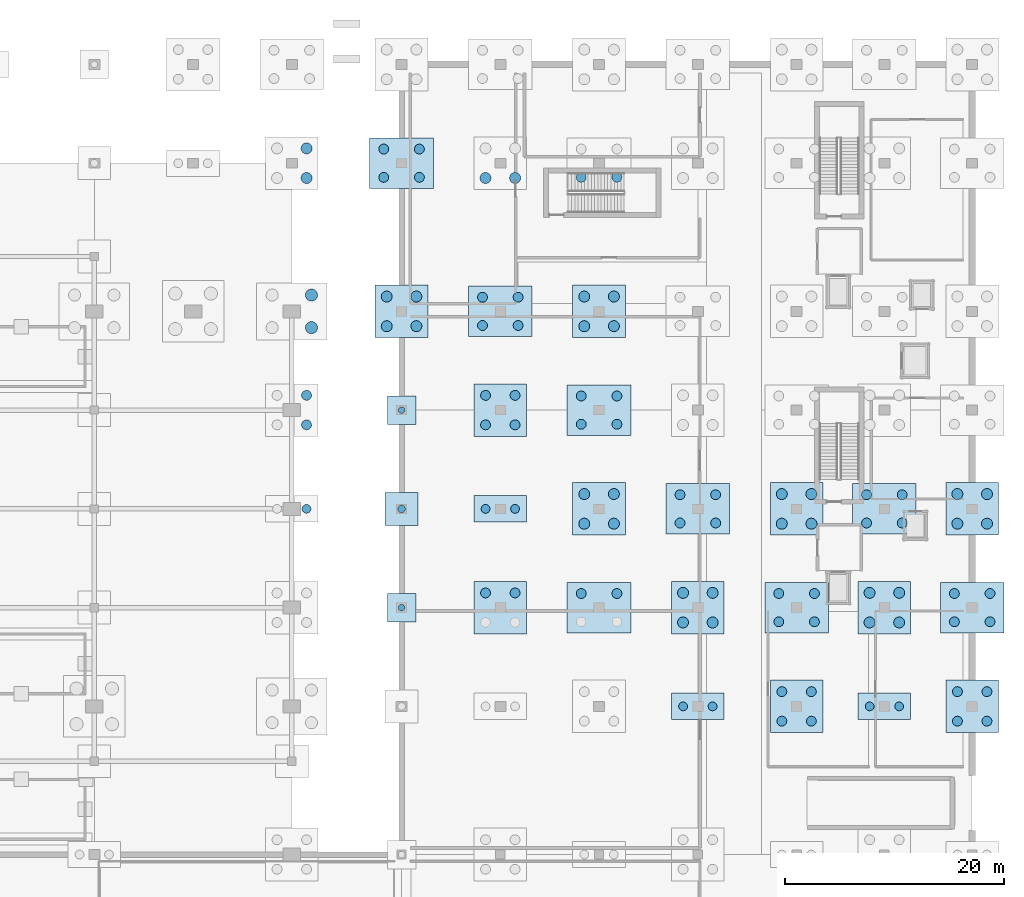
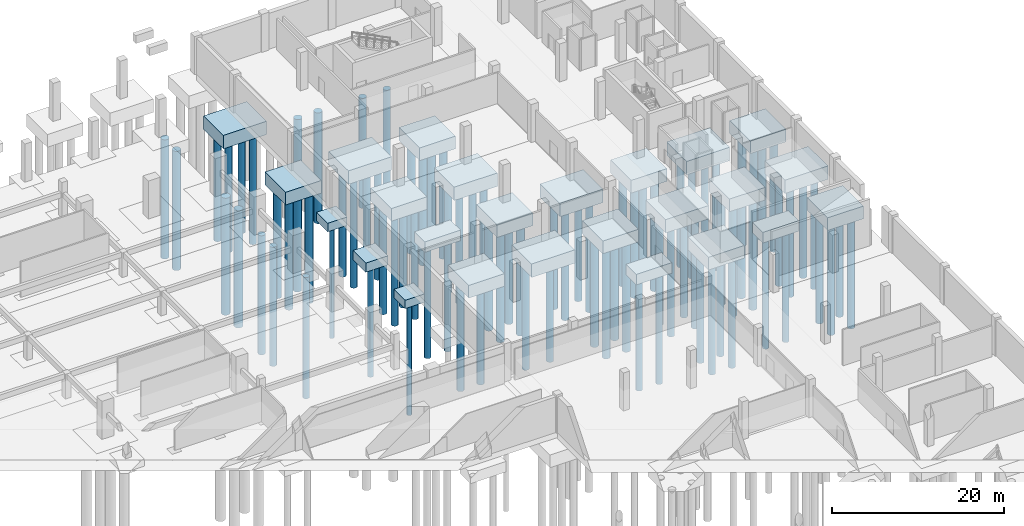
# One storey, part 7 of 26: 92 piles, 25 footings.
"""IFC4 building model written with IfcOpenShell, lengths in metres."""

from ifc_helpers import new_model, si_unit, direction, frame, origin, origin_2d, place, context, subcontext, project, spatial, polyline, circle, outline, extrude, material, material_profile, profile_set, type_object, element, save


model = new_model("IFC4")

# Units and contexts
model_context = context("Model", 3, precision=1e-05, world=origin(), true_north=direction((0.0, 1.0)))
body_context = subcontext(model_context, "Body", "Model", "MODEL_VIEW")
ifc_project = project(units=[si_unit("LENGTHUNIT", "METRE"), si_unit("AREAUNIT", "SQUARE_METRE"), si_unit("VOLUMEUNIT", "CUBIC_METRE"), si_unit("PLANEANGLEUNIT", "RADIAN"), si_unit("MASSUNIT", "GRAM", prefix="KILO")], contexts=[model_context])

# Site, building, storey
site_placement = place(None, origin())
site = spatial("IfcSite", under=ifc_project, at=site_placement, CompositionType="ELEMENT")
building_placement = place(site_placement, origin())
building = spatial("IfcBuilding", under=site, at=building_placement, Name="Chuanluo Vaults Station", CompositionType="ELEMENT")
storey_placement = place(building_placement, frame((0.0, 0.0, -5.39990234375)))
storey = spatial("IfcBuildingStorey", under=building, at=storey_placement, Name="B1", CompositionType="ELEMENT", Elevation=-5.39990234375)

# Footings
ifc_material_1 = material(Name="Concrete C40", Category="concrete")
footing_type_1 = type_object("IfcFootingType", Name="FTG-PC-2", PredefinedType="PILE_CAP", material=ifc_material_1)
footing_1_placement = place(storey_placement, frame((0.0, 0.0, -3.0)))
element("IfcFooting", 1, at=footing_1_placement, inside=storey, type_object=footing_type_1, Name="Pile cap PC-094", PredefinedType="PILE_CAP", context=body_context, shape_type="SweptSolid", body=[
    extrude(outline(polyline([(133.60009765625, 101.10009765625), (138.39990234375, 101.10009765625), (138.39990234375, 105.89990234375), (133.60009765625, 105.89990234375), (133.60009765625, 101.10009765625)])), origin(), (0.0, 0.0, 1.0), 1.7998046875),
])
footing_2_placement = place(storey_placement, frame((0.0, 0.0, -3.0)))
element("IfcFooting", 2, at=footing_2_placement, inside=storey, type_object=footing_type_1, Name="Pile cap PC-104", PredefinedType="PILE_CAP", context=body_context, shape_type="SweptSolid", body=[
    extrude(outline(polyline([(142.60009765625, 74.10009765625), (147.39990234375, 74.10009765625), (147.39990234375, 78.89990234375), (142.60009765625, 78.89990234375), (142.60009765625, 74.10009765625)])), origin(), (0.0, 0.0, 1.0), 1.7998046875),
])
footing_3_placement = place(storey_placement, frame((0.0, 0.0, -3.0)))
element("IfcFooting", 3, at=footing_3_placement, inside=storey, type_object=footing_type_1, Name="Pile cap PC-106", PredefinedType="PILE_CAP", context=body_context, shape_type="SweptSolid", body=[
    extrude(outline(polyline([(142.60009765625, 92.10009765625), (147.39990234375, 92.10009765625), (147.39990234375, 96.89990234375), (142.60009765625, 96.89990234375), (142.60009765625, 92.10009765625)])), origin(), (0.0, 0.0, 1.0), 1.7998046875),
])
footing_4_placement = place(storey_placement, frame((0.0, 0.0, -3.0)))
element("IfcFooting", 4, at=footing_4_placement, inside=storey, type_object=footing_type_1, Name="Pile cap PC-118", PredefinedType="PILE_CAP", context=body_context, shape_type="SweptSolid", body=[
    extrude(outline(polyline([(151.60009765625, 83.10009765625), (156.39990234375, 83.10009765625), (156.39990234375, 87.89990234375), (151.60009765625, 87.89990234375), (151.60009765625, 83.10009765625)])), origin(), (0.0, 0.0, 1.0), 1.7998046875),
])
footing_5_placement = place(storey_placement, frame((0.0, 0.0, -3.0)))
element("IfcFooting", 5, at=footing_5_placement, inside=storey, type_object=footing_type_1, Name="Pile cap PC-120", PredefinedType="PILE_CAP", context=body_context, shape_type="SweptSolid", body=[
    extrude(outline(polyline([(151.60009765625, 101.10009765625), (156.39990234375, 101.10009765625), (156.39990234375, 105.89990234375), (151.60009765625, 105.89990234375), (151.60009765625, 101.10009765625)])), origin(), (0.0, 0.0, 1.0), 1.7998046875),
])
footing_6_placement = place(storey_placement, frame((0.0, 0.0, -3.0)))
element("IfcFooting", 6, at=footing_6_placement, inside=storey, type_object=footing_type_1, Name="Pile cap PC-130", PredefinedType="PILE_CAP", context=body_context, shape_type="SweptSolid", body=[
    extrude(outline(polyline([(160.60009765625, 74.10009765625), (165.39990234375, 74.10009765625), (165.39990234375, 78.89990234375), (160.60009765625, 78.89990234375), (160.60009765625, 74.10009765625)])), origin(), (0.0, 0.0, 1.0), 1.7998046875),
])
footing_7_placement = place(storey_placement, frame((0.0, 0.0, -3.0)))
element("IfcFooting", 7, at=footing_7_placement, inside=storey, type_object=footing_type_1, Name="Pile cap PC-142", PredefinedType="PILE_CAP", context=body_context, shape_type="SweptSolid", body=[
    extrude(outline(polyline([(169.60009765625, 65.10009765625), (174.39990234375, 65.10009765625), (174.39990234375, 69.89990234375), (169.60009765625, 69.89990234375), (169.60009765625, 65.10009765625)])), origin(), (0.0, 0.0, 1.0), 1.7998046875),
])
footing_8_placement = place(storey_placement, frame((0.0, 0.0, -3.0)))
element("IfcFooting", 8, at=footing_8_placement, inside=storey, type_object=footing_type_1, Name="Pile cap PC-144", PredefinedType="PILE_CAP", context=body_context, shape_type="SweptSolid", body=[
    extrude(outline(polyline([(169.60009765625, 83.10009765625), (174.39990234375, 83.10009765625), (174.39990234375, 87.89990234375), (169.60009765625, 87.89990234375), (169.60009765625, 83.10009765625)])), origin(), (0.0, 0.0, 1.0), 1.7998046875),
])
footing_9_placement = place(storey_placement, frame((0.0, 0.0, -3.0)))
element("IfcFooting", 9, at=footing_9_placement, inside=storey, type_object=footing_type_1, Name="Pile cap PC-156", PredefinedType="PILE_CAP", context=body_context, shape_type="SweptSolid", body=[
    extrude(outline(polyline([(177.60009765625, 74.10009765625), (182.39990234375, 74.10009765625), (182.39990234375, 78.89990234375), (177.60009765625, 78.89990234375), (177.60009765625, 74.10009765625)])), origin(), (0.0, 0.0, 1.0), 1.7998046875),
])
footing_10_placement = place(storey_placement, frame((0.0, 0.0, -3.0)))
element("IfcFooting", 10, at=footing_10_placement, inside=storey, type_object=footing_type_1, Name="Pile cap PC-168", PredefinedType="PILE_CAP", context=body_context, shape_type="SweptSolid", body=[
    extrude(outline(polyline([(185.60009765625, 65.10009765625), (190.39990234375, 65.10009765625), (190.39990234375, 69.89990234375), (185.60009765625, 69.89990234375), (185.60009765625, 65.10009765625)])), origin(), (0.0, 0.0, 1.0), 1.7998046875),
])
footing_11_placement = place(storey_placement, frame((0.0, 0.0, -3.0)))
element("IfcFooting", 11, at=footing_11_placement, inside=storey, type_object=footing_type_1, Name="Pile cap PC-170", PredefinedType="PILE_CAP", context=body_context, shape_type="SweptSolid", body=[
    extrude(outline(polyline([(185.60009765625, 83.10009765625), (190.39990234375, 83.10009765625), (190.39990234375, 87.89990234375), (185.60009765625, 87.89990234375), (185.60009765625, 83.10009765625)])), origin(), (0.0, 0.0, 1.0), 1.7998046875),
])
ifc_material_2 = material(Name="Concrete C40", Category="concrete")
footing_type_2 = type_object("IfcFootingType", Name="FTG-PC-5", PredefinedType="PILE_CAP", material=ifc_material_2)
footing_12_placement = place(storey_placement, frame((0.0, 0.0, -2.5)))
element("IfcFooting", 12, at=footing_12_placement, inside=storey, type_object=footing_type_2, Name="Pile cap PC-092", PredefinedType="PILE_CAP", context=body_context, shape_type="SweptSolid", body=[
    extrude(outline(polyline([(134.5, 84.0), (137.5, 84.0), (137.5, 87.0), (134.5, 87.0), (134.5, 84.0)])), origin(), (0.0, 0.0, 1.0), 1.2998046875),
])
ifc_material_3 = material(Name="Concrete C40", Category="concrete")
footing_type_3 = type_object("IfcFootingType", Name="FTG-PC-6", PredefinedType="PILE_CAP", material=ifc_material_3)
footing_13_placement = place(storey_placement, frame((0.0, 0.0, -2.400146484375)))
element("IfcFooting", 13, at=footing_13_placement, inside=storey, type_object=footing_type_3, Name="Pile cap PC-091", PredefinedType="PILE_CAP", context=body_context, shape_type="SweptSolid", body=[
    extrude(outline(polyline([(134.699951171875, 75.199951171875), (137.300048828125, 75.199951171875), (137.300048828125, 77.800048828125), (134.699951171875, 77.800048828125), (134.699951171875, 75.199951171875)])), origin(), (0.0, 0.0, 1.0), 1.199951171875),
])
footing_14_placement = place(storey_placement, frame((0.0, 0.0, -2.400146484375)))
element("IfcFooting", 14, at=footing_14_placement, inside=storey, type_object=footing_type_3, Name="Pile cap PC-093", PredefinedType="PILE_CAP", context=body_context, shape_type="SweptSolid", body=[
    extrude(outline(polyline([(134.699951171875, 93.199951171875), (137.300048828125, 93.199951171875), (137.300048828125, 95.800048828125), (134.699951171875, 95.800048828125), (134.699951171875, 93.199951171875)])), origin(), (0.0, 0.0, 1.0), 1.199951171875),
])
ifc_material_4 = material(Name="Concrete C40", Category="concrete")
footing_type_4 = type_object("IfcFootingType", Name="FTG-PC-7", PredefinedType="PILE_CAP", material=ifc_material_4)
footing_15_placement = place(storey_placement, frame((0.0, 0.0, -2.7001953125)))
element("IfcFooting", 15, at=footing_15_placement, inside=storey, type_object=footing_type_4, Name="Pile cap PC-105", PredefinedType="PILE_CAP", context=body_context, shape_type="SweptSolid", body=[
    extrude(outline(polyline([(142.60009765625, 84.300048828125), (147.39990234375, 84.300048828125), (147.39990234375, 86.699951171875), (142.60009765625, 86.699951171875), (142.60009765625, 84.300048828125)])), origin(), (0.0, 0.0, 1.0), 1.5),
])
footing_16_placement = place(storey_placement, frame((0.0, 0.0, -2.7001953125)))
element("IfcFooting", 16, at=footing_16_placement, inside=storey, type_object=footing_type_4, Name="Pile cap PC-129", PredefinedType="PILE_CAP", context=body_context, shape_type="SweptSolid", body=[
    extrude(outline(polyline([(160.60009765625, 66.300048828125), (165.39990234375, 66.300048828125), (165.39990234375, 68.699951171875), (160.60009765625, 68.699951171875), (160.60009765625, 66.300048828125)])), origin(), (0.0, 0.0, 1.0), 1.5),
])
footing_17_placement = place(storey_placement, frame((0.0, 0.0, -2.7001953125)))
element("IfcFooting", 17, at=footing_17_placement, inside=storey, type_object=footing_type_4, Name="Pile cap PC-155", PredefinedType="PILE_CAP", context=body_context, shape_type="SweptSolid", body=[
    extrude(outline(polyline([(177.60009765625, 66.300048828125), (182.39990234375, 66.300048828125), (182.39990234375, 68.699951171875), (177.60009765625, 68.699951171875), (177.60009765625, 66.300048828125)])), origin(), (0.0, 0.0, 1.0), 1.5),
])
ifc_material_5 = material(Name="Concrete C40", Category="concrete")
footing_type_5 = type_object("IfcFootingType", Name="FTG-PC-8", PredefinedType="PILE_CAP", material=ifc_material_5)
footing_18_placement = place(storey_placement, frame((0.0, 0.0, -3.10009765625)))
element("IfcFooting", 18, at=footing_18_placement, inside=storey, type_object=footing_type_5, Name="Pile cap PC-095", PredefinedType="PILE_CAP", context=body_context, shape_type="SweptSolid", body=[
    extrude(outline(polyline([(133.10009765625, 114.699951171875), (138.89990234375, 114.699951171875), (138.89990234375, 119.300048828125), (133.10009765625, 119.300048828125), (133.10009765625, 114.699951171875)])), origin(), (0.0, 0.0, 1.0), 1.89990234375),
])
footing_19_placement = place(storey_placement, frame((0.0, 0.0, -3.10009765625)))
element("IfcFooting", 19, at=footing_19_placement, inside=storey, type_object=footing_type_5, Name="Pile cap PC-107", PredefinedType="PILE_CAP", context=body_context, shape_type="SweptSolid", body=[
    extrude(outline(polyline([(142.10009765625, 101.199951171875), (147.89990234375, 101.199951171875), (147.89990234375, 105.800048828125), (142.10009765625, 105.800048828125), (142.10009765625, 101.199951171875)])), origin(), (0.0, 0.0, 1.0), 1.89990234375),
])
footing_20_placement = place(storey_placement, frame((0.0, 0.0, -3.10009765625)))
element("IfcFooting", 20, at=footing_20_placement, inside=storey, type_object=footing_type_5, Name="Pile cap PC-117", PredefinedType="PILE_CAP", context=body_context, shape_type="SweptSolid", body=[
    extrude(outline(polyline([(151.10009765625, 74.199951171875), (156.89990234375, 74.199951171875), (156.89990234375, 78.800048828125), (151.10009765625, 78.800048828125), (151.10009765625, 74.199951171875)])), origin(), (0.0, 0.0, 1.0), 1.89990234375),
])
footing_21_placement = place(storey_placement, frame((0.0, 0.0, -3.10009765625)))
element("IfcFooting", 21, at=footing_21_placement, inside=storey, type_object=footing_type_5, Name="Pile cap PC-119", PredefinedType="PILE_CAP", context=body_context, shape_type="SweptSolid", body=[
    extrude(outline(polyline([(151.10009765625, 92.199951171875), (156.89990234375, 92.199951171875), (156.89990234375, 96.800048828125), (151.10009765625, 96.800048828125), (151.10009765625, 92.199951171875)])), origin(), (0.0, 0.0, 1.0), 1.89990234375),
])
footing_22_placement = place(storey_placement, frame((0.0, 0.0, -3.10009765625)))
element("IfcFooting", 22, at=footing_22_placement, inside=storey, type_object=footing_type_5, Name="Pile cap PC-131", PredefinedType="PILE_CAP", context=body_context, shape_type="SweptSolid", body=[
    extrude(outline(polyline([(160.10009765625, 83.199951171875), (165.89990234375, 83.199951171875), (165.89990234375, 87.800048828125), (160.10009765625, 87.800048828125), (160.10009765625, 83.199951171875)])), origin(), (0.0, 0.0, 1.0), 1.89990234375),
])
footing_23_placement = place(storey_placement, frame((0.0, 0.0, -3.10009765625)))
element("IfcFooting", 23, at=footing_23_placement, inside=storey, type_object=footing_type_5, Name="Pile cap PC-143", PredefinedType="PILE_CAP", context=body_context, shape_type="SweptSolid", body=[
    extrude(outline(polyline([(169.10009765625, 74.199951171875), (174.89990234375, 74.199951171875), (174.89990234375, 78.800048828125), (169.10009765625, 78.800048828125), (169.10009765625, 74.199951171875)])), origin(), (0.0, 0.0, 1.0), 1.89990234375),
])
footing_24_placement = place(storey_placement, frame((0.0, 0.0, -3.10009765625)))
element("IfcFooting", 24, at=footing_24_placement, inside=storey, type_object=footing_type_5, Name="Pile cap PC-157", PredefinedType="PILE_CAP", context=body_context, shape_type="SweptSolid", body=[
    extrude(outline(polyline([(177.10009765625, 83.199951171875), (182.89990234375, 83.199951171875), (182.89990234375, 87.800048828125), (177.10009765625, 87.800048828125), (177.10009765625, 83.199951171875)])), origin(), (0.0, 0.0, 1.0), 1.89990234375),
])
footing_25_placement = place(storey_placement, frame((0.0, 0.0, -3.10009765625)))
element("IfcFooting", 25, at=footing_25_placement, inside=storey, type_object=footing_type_5, Name="Pile cap PC-169", PredefinedType="PILE_CAP", context=body_context, shape_type="SweptSolid", body=[
    extrude(outline(polyline([(185.10009765625, 74.199951171875), (190.89990234375, 74.199951171875), (190.89990234375, 78.800048828125), (185.10009765625, 78.800048828125), (185.10009765625, 74.199951171875)])), origin(), (0.0, 0.0, 1.0), 1.89990234375),
])

# Piles
ifc_material_6 = material(Name="Concrete C40", Category="concrete")
ifc_material_profile_1 = material_profile(ifc_material_6, circle(Radius=0.5, at=origin_2d()))
ifc_profile_set_1 = profile_set([ifc_material_profile_1], Name="Concrete C40")
pile_type_1 = type_object("IfcPileType", Name="PIL-1000", PredefinedType="BORED", material=ifc_profile_set_1)
for number, where, z_axis, x_axis, name in (
    (26, (127.35009765625, 115.64990234375, -1.68017578125), (0.0, 0.0, -1.0), (1.0, 0.0, 0.0), "Rock-socketed bored pile 224"),
    (27, (127.35009765625, 118.35009765625, -1.68017578125), (0.0, 0.0, -1.0), (1.0, 0.0, 0.0), "Rock-socketed bored pile 226"),
):
    element("IfcPile", number, at=place(storey_placement, frame(where, z_axis=z_axis, x_axis=x_axis)), inside=storey, type_object=pile_type_1, Name=name, PredefinedType="BORED", context=body_context, shape_type="SweptSolid", body=[
        extrude(circle(Radius=0.5, at=origin_2d()), origin(), (0.0, 0.0, 1.0), 16.919921875),
    ])
for number, where, z_axis, x_axis, name in (
    (28, (134.64990234375, 102.14990234375, -2.880126953125), (0.0, 0.0, -1.0), (1.0, 0.0, 0.0), "Rock-socketed bored pile 252"),
    (29, (137.35009765625, 102.14990234375, -2.880126953125), (0.0, 0.0, -1.0), (1.0, 0.0, 0.0), "Rock-socketed bored pile 253"),
    (30, (134.64990234375, 104.85009765625, -2.880126953125), (0.0, 0.0, -1.0), (1.0, 0.0, 0.0), "Rock-socketed bored pile 254"),
    (31, (137.35009765625, 104.85009765625, -2.880126953125), (0.0, 0.0, -1.0), (1.0, 0.0, 0.0), "Rock-socketed bored pile 255"),
    (32, (143.64990234375, 115.64990234375, -2.880126953125), (0.0, 0.0, -1.0), (1.0, 0.0, 0.0), "Rock-socketed bored pile 298"),
    (33, (146.35009765625, 115.64990234375, -2.880126953125), (0.0, 0.0, -1.0), (1.0, 0.0, 0.0), "Rock-socketed bored pile 299"),
    (34, (152.64990234375, 84.14990234375, -2.880126953125), (0.0, 0.0, -1.0), (1.0, 0.0, 0.0), "Rock-socketed bored pile 332"),
    (35, (155.35009765625, 84.14990234375, -2.880126953125), (0.0, 0.0, -1.0), (1.0, 0.0, 0.0), "Rock-socketed bored pile 333"),
    (36, (152.64990234375, 86.85009765625, -2.880126953125), (0.0, 0.0, -1.0), (1.0, 0.0, 0.0), "Rock-socketed bored pile 334"),
    (37, (155.35009765625, 86.85009765625, -2.880126953125), (0.0, 0.0, -1.0), (1.0, 0.0, 0.0), "Rock-socketed bored pile 335"),
    (38, (152.64990234375, 102.14990234375, -2.880126953125), (0.0, 0.0, -1.0), (1.0, 0.0, 0.0), "Rock-socketed bored pile 340"),
    (39, (155.35009765625, 102.14990234375, -2.880126953125), (0.0, 0.0, -1.0), (1.0, 0.0, 0.0), "Rock-socketed bored pile 341"),
    (40, (152.64990234375, 104.85009765625, -2.880126953125), (0.0, 0.0, -1.0), (1.0, 0.0, 0.0), "Rock-socketed bored pile 342"),
    (41, (155.35009765625, 104.85009765625, -2.880126953125), (0.0, 0.0, -1.0), (1.0, 0.0, 0.0), "Rock-socketed bored pile 343"),
    (42, (161.64990234375, 75.14990234375, -2.880126953125), (0.0, 0.0, -1.0), (1.0, 0.0, 0.0), "Rock-socketed bored pile 372"),
    (43, (164.35009765625, 75.14990234375, -2.880126953125), (0.0, 0.0, -1.0), (1.0, 0.0, 0.0), "Rock-socketed bored pile 373"),
    (44, (161.64990234375, 77.85009765625, -2.880126953125), (0.0, 0.0, -1.0), (1.0, 0.0, 0.0), "Rock-socketed bored pile 374"),
    (45, (164.35009765625, 77.85009765625, -2.880126953125), (0.0, 0.0, -1.0), (1.0, 0.0, 0.0), "Rock-socketed bored pile 375"),
    (46, (170.64990234375, 84.14990234375, -2.880126953125), (0.0, 0.0, -1.0), (1.0, 0.0, 0.0), "Rock-socketed bored pile 422"),
    (47, (173.35009765625, 84.14990234375, -2.880126953125), (0.0, 0.0, -1.0), (1.0, 0.0, 0.0), "Rock-socketed bored pile 423"),
    (48, (170.64990234375, 86.85009765625, -2.880126953125), (0.0, 0.0, -1.0), (1.0, 0.0, 0.0), "Rock-socketed bored pile 424"),
    (49, (173.35009765625, 86.85009765625, -2.880126953125), (0.0, 0.0, -1.0), (1.0, 0.0, 0.0), "Rock-socketed bored pile 425"),
    (50, (178.64990234375, 75.14990234375, -2.880126953125), (0.0, 0.0, -1.0), (1.0, 0.0, 0.0), "Rock-socketed bored pile 462"),
    (51, (181.35009765625, 75.14990234375, -2.880126953125), (0.0, 0.0, -1.0), (1.0, 0.0, 0.0), "Rock-socketed bored pile 463"),
    (52, (178.64990234375, 77.85009765625, -2.880126953125), (0.0, 0.0, -1.0), (1.0, 0.0, 0.0), "Rock-socketed bored pile 464"),
    (53, (181.35009765625, 77.85009765625, -2.880126953125), (0.0, 0.0, -1.0), (1.0, 0.0, 0.0), "Rock-socketed bored pile 465"),
    (54, (186.64990234375, 84.14990234375, -2.880126953125), (0.0, 0.0, -1.0), (1.0, 0.0, 0.0), "Rock-socketed bored pile 501"),
    (55, (189.35009765625, 84.14990234375, -2.880126953125), (0.0, 0.0, -1.0), (1.0, 0.0, 0.0), "Rock-socketed bored pile 502"),
    (56, (186.64990234375, 86.85009765625, -2.880126953125), (0.0, 0.0, -1.0), (1.0, 0.0, 0.0), "Rock-socketed bored pile 503"),
    (57, (189.35009765625, 86.85009765625, -2.880126953125), (0.0, 0.0, -1.0), (1.0, 0.0, 0.0), "Rock-socketed bored pile 504"),
):
    element("IfcPile", number, at=place(storey_placement, frame(where, z_axis=z_axis, x_axis=x_axis)), inside=storey, type_object=pile_type_1, Name=name, PredefinedType="BORED", context=body_context, shape_type="SweptSolid", body=[
        extrude(circle(Radius=0.5, at=origin_2d()), origin(), (0.0, 0.0, 1.0), 15.719970703125),
    ])
ifc_material_7 = material(Name="Concrete C40", Category="concrete")
ifc_material_profile_2 = material_profile(ifc_material_7, circle(Radius=0.550048828125, at=origin_2d()))
ifc_profile_set_2 = profile_set([ifc_material_profile_2], Name="Concrete C40")
pile_type_2 = type_object("IfcPileType", Name="PIL-1100", PredefinedType="BORED", material=ifc_profile_set_2)
for number, where, z_axis, x_axis, name in (
    (58, (127.7919921875, 102.014892578125, -1.97998046875), (0.0, 0.0, -1.0), (1.0, 0.0, 0.0), "Rock-socketed bored pile 220"),
    (59, (127.7919921875, 104.985107421875, -1.97998046875), (0.0, 0.0, -1.0), (1.0, 0.0, 0.0), "Rock-socketed bored pile 222"),
):
    element("IfcPile", number, at=place(storey_placement, frame(where, z_axis=z_axis, x_axis=x_axis)), inside=storey, type_object=pile_type_2, Name=name, PredefinedType="BORED", context=body_context, shape_type="SweptSolid", body=[
        extrude(circle(Radius=0.550048828125, at=origin_2d()), origin(), (0.0, 0.0, 1.0), 16.6201171875),
    ])
ifc_material_8 = material(Name="Concrete C40", Category="concrete")
ifc_material_profile_3 = material_profile(ifc_material_8, circle(Radius=0.300048828125, at=origin_2d()))
ifc_profile_set_3 = profile_set([ifc_material_profile_3], Name="Concrete C40")
pile_type_3 = type_object("IfcPileType", Name="PIL-600", PredefinedType="BORED", material=ifc_profile_set_3)
for number, where, z_axis, x_axis, name in (
    (60, (136.0, 76.5, -2.280029296875), (0.0, 0.0, -1.0), (1.0, 0.0, 0.0), "Rock-socketed bored pile 249"),
    (61, (136.0, 94.5, -2.280029296875), (0.0, 0.0, -1.0), (1.0, 0.0, 0.0), "Rock-socketed bored pile 251"),
):
    element("IfcPile", number, at=place(storey_placement, frame(where, z_axis=z_axis, x_axis=x_axis)), inside=storey, type_object=pile_type_3, Name=name, PredefinedType="BORED", context=body_context, shape_type="SweptSolid", body=[
        extrude(circle(Radius=0.300048828125, at=origin_2d()), origin(), (0.0, 0.0, 1.0), 16.320068359375),
    ])
ifc_material_9 = material(Name="Concrete C40", Category="concrete")
ifc_material_profile_4 = material_profile(ifc_material_9, circle(Radius=0.35009765625, at=origin_2d()))
ifc_profile_set_4 = profile_set([ifc_material_profile_4], Name="Concrete C40")
pile_type_4 = type_object("IfcPileType", Name="PIL-700", PredefinedType="BORED", material=ifc_profile_set_4)
pile_1_placement = place(storey_placement, frame((136.0, 85.5, -2.380126953125), z_axis=(0.0, 0.0, -1.0), x_axis=(1.0, 0.0, 0.0)))
element("IfcPile", 62, at=pile_1_placement, inside=storey, type_object=pile_type_4, Name="Rock-socketed bored pile 250", PredefinedType="BORED", context=body_context, shape_type="SweptSolid", body=[
    extrude(circle(Radius=0.35009765625, at=origin_2d()), origin(), (0.0, 0.0, 1.0), 16.219970703125),
])
ifc_material_10 = material(Name="Concrete C40", Category="concrete")
ifc_material_profile_5 = material_profile(ifc_material_10, circle(Radius=0.39990234375, at=origin_2d()))
ifc_profile_set_5 = profile_set([ifc_material_profile_5], Name="Concrete C40")
pile_type_5 = type_object("IfcPileType", Name="PIL-800", PredefinedType="BORED", material=ifc_profile_set_5)
pile_2_placement = place(storey_placement, frame((127.343994140625, 85.5, -1.380126953125), z_axis=(0.0, 0.0, -1.0), x_axis=(1.0, 0.0, 0.0)))
element("IfcPile", 63, at=pile_2_placement, inside=storey, type_object=pile_type_5, Name="Rock-socketed bored pile 214", PredefinedType="BORED", context=body_context, shape_type="SweptSolid", body=[
    extrude(circle(Radius=0.39990234375, at=origin_2d()), origin(), (0.0, 0.0, 1.0), 17.219970703125),
])
for number, where, z_axis, x_axis, name in (
    (64, (143.656005859375, 85.5, -2.580078125), (0.0, 0.0, -1.0), (1.0, 0.0, 0.0), "Rock-socketed bored pile 288"),
    (65, (146.343994140625, 85.5, -2.580078125), (0.0, 0.0, -1.0), (1.0, 0.0, 0.0), "Rock-socketed bored pile 289"),
    (66, (161.656005859375, 67.5, -2.580078125), (0.0, 0.0, -1.0), (1.0, 0.0, 0.0), "Rock-socketed bored pile 370"),
    (67, (164.343994140625, 67.5, -2.580078125), (0.0, 0.0, -1.0), (1.0, 0.0, 0.0), "Rock-socketed bored pile 371"),
    (68, (178.656005859375, 67.5, -2.580078125), (0.0, 0.0, -1.0), (1.0, 0.0, 0.0), "Rock-socketed bored pile 460"),
    (69, (181.343994140625, 67.5, -2.580078125), (0.0, 0.0, -1.0), (1.0, 0.0, 0.0), "Rock-socketed bored pile 461"),
):
    element("IfcPile", number, at=place(storey_placement, frame(where, z_axis=z_axis, x_axis=x_axis)), inside=storey, type_object=pile_type_5, Name=name, PredefinedType="BORED", context=body_context, shape_type="SweptSolid", body=[
        extrude(circle(Radius=0.39990234375, at=origin_2d()), origin(), (0.0, 0.0, 1.0), 16.02001953125),
    ])
ifc_material_11 = material(Name="Concrete C40", Category="concrete")
ifc_material_profile_6 = material_profile(ifc_material_11, circle(Radius=0.449951171875, at=origin_2d()))
ifc_profile_set_6 = profile_set([ifc_material_profile_6], Name="Concrete C40")
pile_type_6 = type_object("IfcPileType", Name="PIL-900", PredefinedType="BORED", material=ifc_profile_set_6)
for number, where, z_axis, x_axis, name in (
    (70, (127.343994140625, 93.156005859375, -1.68017578125), (0.0, 0.0, -1.0), (1.0, 0.0, 0.0), "Rock-socketed bored pile 216"),
    (71, (127.343994140625, 95.843994140625, -1.68017578125), (0.0, 0.0, -1.0), (1.0, 0.0, 0.0), "Rock-socketed bored pile 218"),
):
    element("IfcPile", number, at=place(storey_placement, frame(where, z_axis=z_axis, x_axis=x_axis)), inside=storey, type_object=pile_type_6, Name=name, PredefinedType="BORED", context=body_context, shape_type="SweptSolid", body=[
        extrude(circle(Radius=0.449951171875, at=origin_2d()), origin(), (0.0, 0.0, 1.0), 16.919921875),
    ])
for number, where, z_axis, x_axis, name in (
    (72, (134.3759765625, 115.7119140625, -2.97998046875), (0.0, 0.0, -1.0), (1.0, 0.0, 0.0), "Rock-socketed bored pile 256"),
    (73, (137.6240234375, 115.7119140625, -2.97998046875), (0.0, 0.0, -1.0), (1.0, 0.0, 0.0), "Rock-socketed bored pile 257"),
    (74, (134.3759765625, 118.2880859375, -2.97998046875), (0.0, 0.0, -1.0), (1.0, 0.0, 0.0), "Rock-socketed bored pile 258"),
    (75, (137.6240234375, 118.2880859375, -2.97998046875), (0.0, 0.0, -1.0), (1.0, 0.0, 0.0), "Rock-socketed bored pile 259"),
):
    element("IfcPile", number, at=place(storey_placement, frame(where, z_axis=z_axis, x_axis=x_axis)), inside=storey, type_object=pile_type_6, Name=name, PredefinedType="BORED", context=body_context, shape_type="SweptSolid", body=[
        extrude(circle(Radius=0.449951171875, at=origin_2d()), origin(), (0.0, 0.0, 1.0), 15.6201171875),
    ])
for number, where, z_axis, x_axis, name in (
    (76, (143.656005859375, 77.843994140625, -2.880126953125), (0.0, 0.0, -1.0), (1.0, 0.0, 0.0), "Rock-socketed bored pile 286"),
    (77, (146.343994140625, 77.843994140625, -2.880126953125), (0.0, 0.0, -1.0), (1.0, 0.0, 0.0), "Rock-socketed bored pile 287"),
    (78, (143.656005859375, 93.156005859375, -2.880126953125), (0.0, 0.0, -1.0), (1.0, 0.0, 0.0), "Rock-socketed bored pile 290"),
    (79, (146.343994140625, 93.156005859375, -2.880126953125), (0.0, 0.0, -1.0), (1.0, 0.0, 0.0), "Rock-socketed bored pile 291"),
    (80, (143.656005859375, 95.843994140625, -2.880126953125), (0.0, 0.0, -1.0), (1.0, 0.0, 0.0), "Rock-socketed bored pile 292"),
    (81, (146.343994140625, 95.843994140625, -2.880126953125), (0.0, 0.0, -1.0), (1.0, 0.0, 0.0), "Rock-socketed bored pile 293"),
):
    element("IfcPile", number, at=place(storey_placement, frame(where, z_axis=z_axis, x_axis=x_axis)), inside=storey, type_object=pile_type_6, Name=name, PredefinedType="BORED", context=body_context, shape_type="SweptSolid", body=[
        extrude(circle(Radius=0.449951171875, at=origin_2d()), origin(), (0.0, 0.0, 1.0), 15.719970703125),
    ])
for number, where, z_axis, x_axis, name in (
    (82, (143.3759765625, 102.2119140625, -2.97998046875), (0.0, 0.0, -1.0), (1.0, 0.0, 0.0), "Rock-socketed bored pile 294"),
    (83, (146.6240234375, 102.2119140625, -2.97998046875), (0.0, 0.0, -1.0), (1.0, 0.0, 0.0), "Rock-socketed bored pile 295"),
    (84, (143.3759765625, 104.7880859375, -2.97998046875), (0.0, 0.0, -1.0), (1.0, 0.0, 0.0), "Rock-socketed bored pile 296"),
    (85, (146.6240234375, 104.7880859375, -2.97998046875), (0.0, 0.0, -1.0), (1.0, 0.0, 0.0), "Rock-socketed bored pile 297"),
    (86, (152.3759765625, 77.7880859375, -2.97998046875), (0.0, 0.0, -1.0), (1.0, 0.0, 0.0), "Rock-socketed bored pile 330"),
    (87, (155.6240234375, 77.7880859375, -2.97998046875), (0.0, 0.0, -1.0), (1.0, 0.0, 0.0), "Rock-socketed bored pile 331"),
    (88, (152.3759765625, 93.2119140625, -2.97998046875), (0.0, 0.0, -1.0), (1.0, 0.0, 0.0), "Rock-socketed bored pile 336"),
    (89, (155.6240234375, 93.2119140625, -2.97998046875), (0.0, 0.0, -1.0), (1.0, 0.0, 0.0), "Rock-socketed bored pile 337"),
    (90, (152.3759765625, 95.7880859375, -2.97998046875), (0.0, 0.0, -1.0), (1.0, 0.0, 0.0), "Rock-socketed bored pile 338"),
    (91, (155.6240234375, 95.7880859375, -2.97998046875), (0.0, 0.0, -1.0), (1.0, 0.0, 0.0), "Rock-socketed bored pile 339"),
    (92, (152.3759765625, 115.7119140625, -2.97998046875), (0.0, 0.0, -1.0), (1.0, 0.0, 0.0), "Rock-socketed bored pile 344"),
    (93, (155.6240234375, 115.7119140625, -2.97998046875), (0.0, 0.0, -1.0), (1.0, 0.0, 0.0), "Rock-socketed bored pile 345"),
    (94, (161.3759765625, 84.2119140625, -2.97998046875), (0.0, 0.0, -1.0), (1.0, 0.0, 0.0), "Rock-socketed bored pile 376"),
    (95, (164.6240234375, 84.2119140625, -2.97998046875), (0.0, 0.0, -1.0), (1.0, 0.0, 0.0), "Rock-socketed bored pile 377"),
    (96, (161.3759765625, 86.7880859375, -2.97998046875), (0.0, 0.0, -1.0), (1.0, 0.0, 0.0), "Rock-socketed bored pile 378"),
    (97, (164.6240234375, 86.7880859375, -2.97998046875), (0.0, 0.0, -1.0), (1.0, 0.0, 0.0), "Rock-socketed bored pile 379"),
):
    element("IfcPile", number, at=place(storey_placement, frame(where, z_axis=z_axis, x_axis=x_axis)), inside=storey, type_object=pile_type_6, Name=name, PredefinedType="BORED", context=body_context, shape_type="SweptSolid", body=[
        extrude(circle(Radius=0.449951171875, at=origin_2d()), origin(), (0.0, 0.0, 1.0), 15.6201171875),
    ])
for number, where, z_axis, x_axis, name in (
    (98, (170.656005859375, 66.156005859375, -2.880126953125), (0.0, 0.0, -1.0), (1.0, 0.0, 0.0), "Rock-socketed bored pile 414"),
    (99, (173.343994140625, 66.156005859375, -2.880126953125), (0.0, 0.0, -1.0), (1.0, 0.0, 0.0), "Rock-socketed bored pile 415"),
    (100, (170.656005859375, 68.843994140625, -2.880126953125), (0.0, 0.0, -1.0), (1.0, 0.0, 0.0), "Rock-socketed bored pile 416"),
    (101, (173.343994140625, 68.843994140625, -2.880126953125), (0.0, 0.0, -1.0), (1.0, 0.0, 0.0), "Rock-socketed bored pile 417"),
):
    element("IfcPile", number, at=place(storey_placement, frame(where, z_axis=z_axis, x_axis=x_axis)), inside=storey, type_object=pile_type_6, Name=name, PredefinedType="BORED", context=body_context, shape_type="SweptSolid", body=[
        extrude(circle(Radius=0.449951171875, at=origin_2d()), origin(), (0.0, 0.0, 1.0), 15.719970703125),
    ])
for number, where, z_axis, x_axis, name in (
    (102, (170.3759765625, 75.2119140625, -2.97998046875), (0.0, 0.0, -1.0), (1.0, 0.0, 0.0), "Rock-socketed bored pile 418"),
    (103, (173.6240234375, 75.2119140625, -2.97998046875), (0.0, 0.0, -1.0), (1.0, 0.0, 0.0), "Rock-socketed bored pile 419"),
    (104, (170.3759765625, 77.7880859375, -2.97998046875), (0.0, 0.0, -1.0), (1.0, 0.0, 0.0), "Rock-socketed bored pile 420"),
    (105, (173.6240234375, 77.7880859375, -2.97998046875), (0.0, 0.0, -1.0), (1.0, 0.0, 0.0), "Rock-socketed bored pile 421"),
    (106, (178.3759765625, 84.2119140625, -2.97998046875), (0.0, 0.0, -1.0), (1.0, 0.0, 0.0), "Rock-socketed bored pile 466"),
    (107, (181.6240234375, 84.2119140625, -2.97998046875), (0.0, 0.0, -1.0), (1.0, 0.0, 0.0), "Rock-socketed bored pile 467"),
    (108, (178.3759765625, 86.7880859375, -2.97998046875), (0.0, 0.0, -1.0), (1.0, 0.0, 0.0), "Rock-socketed bored pile 468"),
    (109, (181.6240234375, 86.7880859375, -2.97998046875), (0.0, 0.0, -1.0), (1.0, 0.0, 0.0), "Rock-socketed bored pile 469"),
):
    element("IfcPile", number, at=place(storey_placement, frame(where, z_axis=z_axis, x_axis=x_axis)), inside=storey, type_object=pile_type_6, Name=name, PredefinedType="BORED", context=body_context, shape_type="SweptSolid", body=[
        extrude(circle(Radius=0.449951171875, at=origin_2d()), origin(), (0.0, 0.0, 1.0), 15.6201171875),
    ])
for number, where, z_axis, x_axis, name in (
    (110, (186.656005859375, 66.156005859375, -2.880126953125), (0.0, 0.0, -1.0), (1.0, 0.0, 0.0), "Rock-socketed bored pile 493"),
    (111, (189.343994140625, 66.156005859375, -2.880126953125), (0.0, 0.0, -1.0), (1.0, 0.0, 0.0), "Rock-socketed bored pile 494"),
    (112, (186.656005859375, 68.843994140625, -2.880126953125), (0.0, 0.0, -1.0), (1.0, 0.0, 0.0), "Rock-socketed bored pile 495"),
    (113, (189.343994140625, 68.843994140625, -2.880126953125), (0.0, 0.0, -1.0), (1.0, 0.0, 0.0), "Rock-socketed bored pile 496"),
):
    element("IfcPile", number, at=place(storey_placement, frame(where, z_axis=z_axis, x_axis=x_axis)), inside=storey, type_object=pile_type_6, Name=name, PredefinedType="BORED", context=body_context, shape_type="SweptSolid", body=[
        extrude(circle(Radius=0.449951171875, at=origin_2d()), origin(), (0.0, 0.0, 1.0), 15.719970703125),
    ])
for number, where, z_axis, x_axis, name in (
    (114, (186.3759765625, 75.2119140625, -2.97998046875), (0.0, 0.0, -1.0), (1.0, 0.0, 0.0), "Rock-socketed bored pile 497"),
    (115, (189.6240234375, 75.2119140625, -2.97998046875), (0.0, 0.0, -1.0), (1.0, 0.0, 0.0), "Rock-socketed bored pile 498"),
    (116, (186.3759765625, 77.7880859375, -2.97998046875), (0.0, 0.0, -1.0), (1.0, 0.0, 0.0), "Rock-socketed bored pile 499"),
    (117, (189.6240234375, 77.7880859375, -2.97998046875), (0.0, 0.0, -1.0), (1.0, 0.0, 0.0), "Rock-socketed bored pile 500"),
):
    element("IfcPile", number, at=place(storey_placement, frame(where, z_axis=z_axis, x_axis=x_axis)), inside=storey, type_object=pile_type_6, Name=name, PredefinedType="BORED", context=body_context, shape_type="SweptSolid", body=[
        extrude(circle(Radius=0.449951171875, at=origin_2d()), origin(), (0.0, 0.0, 1.0), 15.6201171875),
    ])

save(model, "model.ifc")
